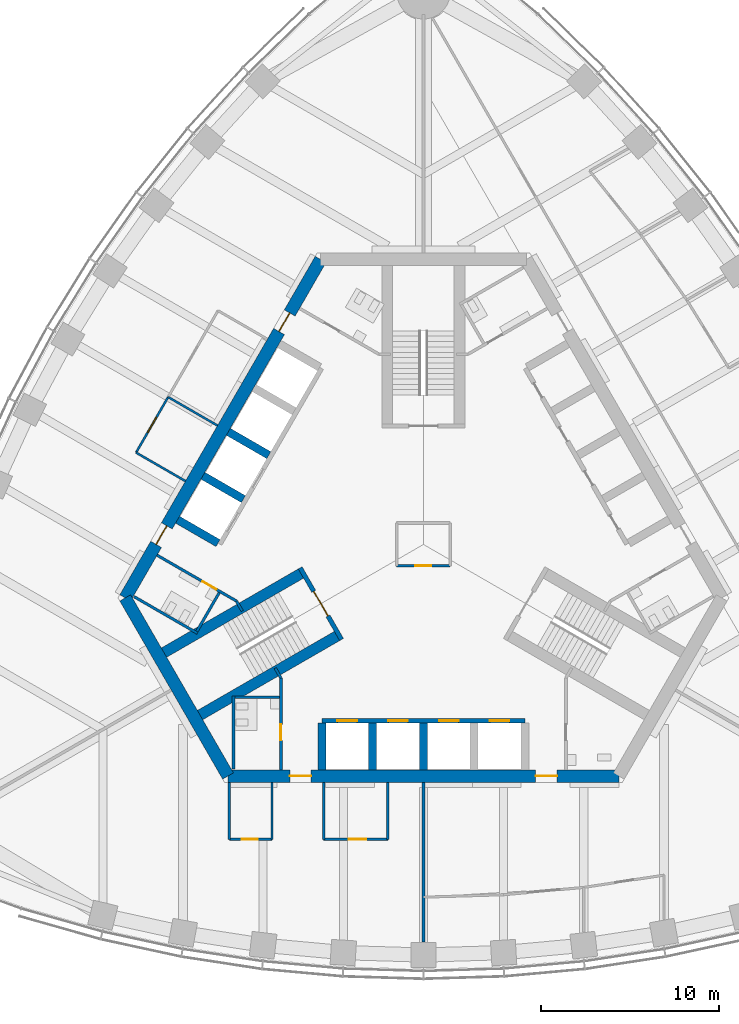
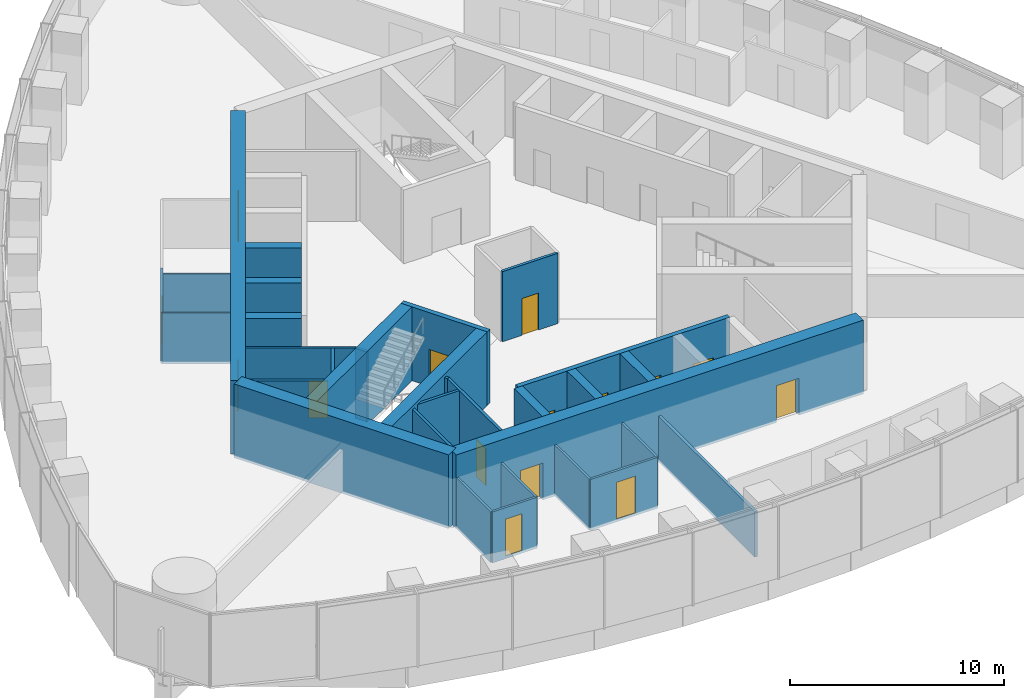
# One storey, part 8 of 15: 32 walls, 15 doors, 15 openings.
"""IFC4 building model written with IfcOpenShell, lengths in metres."""

from ifc_helpers import new_model, si_unit, direction, frame, frame_2d, origin, place, context, subcontext, project, spatial, rectangle, extrude, material, layer, layer_set, type_object, element, fill, save


model = new_model("IFC4")

# Units and contexts
model_context = context("Model", 3, precision=1e-05, world=origin(), true_north=direction((0.0, 1.0)))
body_context = subcontext(model_context, "Body", "Model", "MODEL_VIEW")
ifc_project = project(units=[si_unit("LENGTHUNIT", "METRE"), si_unit("AREAUNIT", "SQUARE_METRE"), si_unit("VOLUMEUNIT", "CUBIC_METRE"), si_unit("PLANEANGLEUNIT", "RADIAN"), si_unit("MASSUNIT", "GRAM", prefix="KILO")], contexts=[model_context])

# Site, building, storey
site_placement = place(None, origin())
site = spatial("IfcSite", under=ifc_project, at=site_placement, CompositionType="ELEMENT")
building_placement = place(site_placement, origin())
building = spatial("IfcBuilding", under=site, at=building_placement, Name="Trefoil Bronze Tower", CompositionType="ELEMENT")
storey_placement = place(building_placement, frame((0.0, 0.0, 276.300048828125)))
storey = spatial("IfcBuildingStorey", under=building, at=storey_placement, Name="L63", CompositionType="ELEMENT", Elevation=276.300048828125)

# Wall, openings, doors
ifc_material_1 = material(Name="Concrete B80", Category="concrete")
ifc_layer_1 = layer(ifc_material_1, 0.699951171875)
ifc_layer_set_1 = layer_set([ifc_layer_1], Name="Core wall 700")
wall_type_1 = type_object("IfcWallType", Name="Core wall 700", PredefinedType="SHEAR", material=ifc_layer_set_1)
wall_1_placement = place(storey_placement, frame((-10.9697265625, -13.0, 0.0), z_axis=(0.0, 0.0, 1.0), x_axis=(1.0, 0.0, 0.0)))
wall_1 = element("IfcWall", 1, at=wall_1_placement, inside=storey, type_object=wall_type_1, Name="Core long wall 1 L63", PredefinedType="SHEAR", context=body_context, shape_type="SweptSolid", body=[
    extrude(rectangle(XDim=21.939453125, YDim=0.699951171875, at=frame_2d((10.9697265625, 0.0))), origin(), (0.0, 0.0, 1.0), 4.199951171875),
])
opening_1_placement = place(wall_1_placement, frame((17.269775390625, 0.0, 0.0)))
opening_1 = element("IfcOpeningElement", 2, at=opening_1_placement, cuts=wall_1, Name="Opening D2", PredefinedType="OPENING", context=body_context, shape_type="SweptSolid", body=[
    extrude(rectangle(XDim=1.199951171875, YDim=2.10009765625, at=frame_2d((0.60009765625, 1.050048828125))), frame((0.0, 0.35986328125, 0.0), z_axis=(0.0, -1.0, 0.0), x_axis=(1.0, 0.0, 0.0)), (0.0, 0.0, 1.0), 0.719970703125),
])
opening_2_placement = place(wall_1_placement, frame((3.4697265625, 0.0, 0.0)))
opening_2 = element("IfcOpeningElement", 3, at=opening_2_placement, cuts=wall_1, Name="Opening D2", PredefinedType="OPENING", context=body_context, shape_type="SweptSolid", body=[
    extrude(rectangle(XDim=1.199951171875, YDim=2.10009765625, at=frame_2d((0.60009765625, 1.050048828125))), frame((0.0, 0.35986328125, 0.0), z_axis=(0.0, -1.0, 0.0), x_axis=(1.0, 0.0, 0.0)), (0.0, 0.0, 1.0), 0.719970703125),
])
ifc_material_2 = material(Name="Steel door", Category="steel")
door_type_1 = type_object("IfcDoorType", Name="Lobby door 1200", OperationType="SINGLE_SWING_RIGHT", PredefinedType="DOOR", material=ifc_material_2)
door_1_placement = place(opening_1_placement, origin())
door_1 = element("IfcDoor", 4, at=door_1_placement, inside=storey, type_object=door_type_1, Name="Lobby door F1+ L63", OperationType="SINGLE_SWING_RIGHT", OverallHeight=2.10009765625, OverallWidth=1.199951171875, PredefinedType="DOOR", context=body_context, shape_type="SweptSolid", body=[
    extrude(rectangle(XDim=1.199951171875, YDim=2.10009765625, at=frame_2d((0.60009765625, 1.050048828125))), frame((0.0, 0.02490234375, 0.0), z_axis=(0.0, -1.0, 0.0), x_axis=(1.0, 0.0, 0.0)), (0.0, 0.0, 1.0), 0.050048828125),
])
fill(opening_1, door_1)
door_2_placement = place(opening_2_placement, origin())
door_2 = element("IfcDoor", 5, at=door_2_placement, inside=storey, type_object=door_type_1, Name="Lobby door F1- L63", OperationType="SINGLE_SWING_LEFT", OverallHeight=2.10009765625, OverallWidth=1.199951171875, PredefinedType="DOOR", context=body_context, shape_type="SweptSolid", body=[
    extrude(rectangle(XDim=1.199951171875, YDim=2.10009765625, at=frame_2d((0.60009765625, 1.050048828125))), frame((0.0, 0.02490234375, 0.0), z_axis=(0.0, -1.0, 0.0), x_axis=(1.0, 0.0, 0.0)), (0.0, 0.0, 1.0), 0.050048828125),
])
fill(opening_2, door_2)

wall_2_placement = place(storey_placement, frame((-5.7734375, 16.0, 0.0), z_axis=(0.0, 0.0, 1.0), x_axis=(-0.500002442456, -0.866023993627, 0.0)))
wall_2 = element("IfcWall", 6, at=wall_2_placement, inside=storey, type_object=wall_type_1, Name="Core long wall 3 L63", PredefinedType="SHEAR", context=body_context, shape_type="SweptSolid", body=[
    extrude(rectangle(XDim=21.939453125, YDim=0.699951171875, at=frame_2d((10.9697265625, 0.0))), origin(), (0.0, 0.0, 1.0), 4.199951171875),
])
opening_3_placement = place(wall_2_placement, frame((17.269775390625, 0.0, 0.0)))
opening_3 = element("IfcOpeningElement", 7, at=opening_3_placement, cuts=wall_2, Name="Opening D2", PredefinedType="OPENING", context=body_context, shape_type="SweptSolid", body=[
    extrude(rectangle(XDim=1.199951171875, YDim=2.10009765625, at=frame_2d((0.60009765625, 1.050048828125))), frame((0.0, 0.35986328125, 0.0), z_axis=(0.0, -1.0, 0.0), x_axis=(1.0, 0.0, 0.0)), (0.0, 0.0, 1.0), 0.719970703125),
])
opening_4_placement = place(wall_2_placement, frame((3.4697265625, 0.0, 0.0)))
opening_4 = element("IfcOpeningElement", 8, at=opening_4_placement, cuts=wall_2, Name="Opening D2", PredefinedType="OPENING", context=body_context, shape_type="SweptSolid", body=[
    extrude(rectangle(XDim=1.199951171875, YDim=2.10009765625, at=frame_2d((0.60009765625, 1.050048828125))), frame((0.0, 0.35986328125, 0.0), z_axis=(0.0, -1.0, 0.0), x_axis=(1.0, 0.0, 0.0)), (0.0, 0.0, 1.0), 0.719970703125),
])
door_3_placement = place(opening_3_placement, origin())
door_3 = element("IfcDoor", 9, at=door_3_placement, inside=storey, type_object=door_type_1, Name="Lobby door F3+ L63", OperationType="SINGLE_SWING_RIGHT", OverallHeight=2.10009765625, OverallWidth=1.199951171875, PredefinedType="DOOR", context=body_context, shape_type="SweptSolid", body=[
    extrude(rectangle(XDim=1.199951171875, YDim=2.10009765625, at=frame_2d((0.60009765625, 1.050048828125))), frame((0.0, 0.02490234375, 0.0), z_axis=(0.0, -1.0, 0.0), x_axis=(1.0, 0.0, 0.0)), (0.0, 0.0, 1.0), 0.050048828125),
])
fill(opening_3, door_3)
door_4_placement = place(opening_4_placement, origin())
door_4 = element("IfcDoor", 10, at=door_4_placement, inside=storey, type_object=door_type_1, Name="Lobby door F3- L63", OperationType="SINGLE_SWING_LEFT", OverallHeight=2.10009765625, OverallWidth=1.199951171875, PredefinedType="DOOR", context=body_context, shape_type="SweptSolid", body=[
    extrude(rectangle(XDim=1.199951171875, YDim=2.10009765625, at=frame_2d((0.60009765625, 1.050048828125))), frame((0.0, 0.02490234375, 0.0), z_axis=(0.0, -1.0, 0.0), x_axis=(1.0, 0.0, 0.0)), (0.0, 0.0, 1.0), 0.050048828125),
])
fill(opening_4, door_4)

# Wall
wall_3_placement = place(storey_placement, frame((-16.7431640625, -3.0, 0.0), z_axis=(0.0, 0.0, 1.0), x_axis=(0.499995765644, -0.866027848477, 0.0)))
element("IfcWall", 11, at=wall_3_placement, inside=storey, type_object=wall_type_1, Name="Core short wall 3 L63", PredefinedType="SHEAR", context=body_context, shape_type="SweptSolid", body=[
    extrude(rectangle(XDim=11.546875, YDim=0.699951171875, at=frame_2d((5.7734375, 0.0))), origin(), (0.0, 0.0, 1.0), 4.199951171875),
])

# Wall, opening, door
ifc_material_3 = material(Name="Glazed partition", Category="glass")
ifc_layer_2 = layer(ifc_material_3, 0.1201171875)
ifc_layer_set_2 = layer_set([ifc_layer_2], Name="Glazed partition 120")
wall_type_2 = type_object("IfcWallType", Name="Glazed partition 120", PredefinedType="PARTITIONING", material=ifc_layer_set_2)
wall_4_placement = place(storey_placement, frame((-10.89990234375, -16.550048828125, 0.0), z_axis=(0.0, 0.0, 1.0), x_axis=(1.0, 0.0, 0.0)))
wall_4 = element("IfcWall", 12, at=wall_4_placement, inside=storey, type_object=wall_type_2, Name="Partition F1 L63", PredefinedType="PARTITIONING", context=body_context, shape_type="SweptSolid", body=[
    extrude(rectangle(XDim=2.39990234375, YDim=0.1201171875, at=frame_2d((1.199951171875, 0.0))), origin(), (0.0, 0.0, 1.0), 2.89990234375),
])
opening_5_placement = place(wall_4_placement, frame((0.699951171875, 0.0, 0.14990234375)))
opening_5 = element("IfcOpeningElement", 13, at=opening_5_placement, cuts=wall_4, Name="Opening D8", PredefinedType="OPENING", context=body_context, shape_type="SweptSolid", body=[
    extrude(rectangle(XDim=0.89990234375, YDim=2.10009765625, at=frame_2d((0.449951171875, 1.050048828125))), frame((0.0, 0.070068359375, 0.0), z_axis=(0.0, -1.0, 0.0), x_axis=(1.0, 0.0, 0.0)), (0.0, 0.0, 1.0), 0.14013671875),
])
ifc_material_4 = material(Name="Timber door", Category="wood")
door_type_2 = type_object("IfcDoorType", Name="Office door 900", OperationType="SINGLE_SWING_LEFT", PredefinedType="DOOR", material=ifc_material_4)
door_5_placement = place(opening_5_placement, origin())
door_5 = element("IfcDoor", 14, at=door_5_placement, inside=storey, type_object=door_type_2, Name="Comms room door F1 L63", OperationType="SINGLE_SWING_LEFT", OverallHeight=2.10009765625, OverallWidth=0.89990234375, PredefinedType="DOOR", context=body_context, shape_type="SweptSolid", body=[
    extrude(rectangle(XDim=0.89990234375, YDim=2.10009765625, at=frame_2d((0.449951171875, 1.050048828125))), frame((0.0, 0.02490234375, 0.0), z_axis=(0.0, -1.0, 0.0), x_axis=(1.0, 0.0, 0.0)), (0.0, 0.0, 1.0), 0.050048828125),
])
fill(opening_5, door_5)

wall_5_placement = place(storey_placement, frame((-5.60009765625, -16.550048828125, 0.0), z_axis=(0.0, 0.0, 1.0), x_axis=(1.0, 0.0, 0.0)))
wall_5 = element("IfcWall", 15, at=wall_5_placement, inside=storey, type_object=wall_type_2, Name="Partition F1 L63", PredefinedType="PARTITIONING", context=body_context, shape_type="SweptSolid", body=[
    extrude(rectangle(XDim=3.60009765625, YDim=0.1201171875, at=frame_2d((1.800048828125, 0.0))), origin(), (0.0, 0.0, 1.0), 2.89990234375),
])
opening_6_placement = place(wall_5_placement, frame((1.39990234375, 0.0, 0.14990234375)))
opening_6 = element("IfcOpeningElement", 16, at=opening_6_placement, cuts=wall_5, Name="Opening D9", PredefinedType="OPENING", context=body_context, shape_type="SweptSolid", body=[
    extrude(rectangle(XDim=1.0, YDim=2.10009765625, at=frame_2d((0.5, 1.050048828125))), frame((0.0, 0.070068359375, 0.0), z_axis=(0.0, -1.0, 0.0), x_axis=(1.0, 0.0, 0.0)), (0.0, 0.0, 1.0), 0.14013671875),
])
ifc_material_5 = material(Name="Glazed timber door", Category="wood")
door_type_3 = type_object("IfcDoorType", Name="Meeting room door 1000", OperationType="SINGLE_SWING_LEFT", PredefinedType="DOOR", material=ifc_material_5)
door_6_placement = place(opening_6_placement, origin())
door_6 = element("IfcDoor", 17, at=door_6_placement, inside=storey, type_object=door_type_3, Name="Meeting room door F1 L63", OperationType="SINGLE_SWING_RIGHT", OverallHeight=2.10009765625, OverallWidth=1.0, PredefinedType="DOOR", context=body_context, shape_type="SweptSolid", body=[
    extrude(rectangle(XDim=1.0, YDim=2.10009765625, at=frame_2d((0.5, 1.050048828125))), frame((0.0, 0.02490234375, 0.0), z_axis=(0.0, -1.0, 0.0), x_axis=(1.0, 0.0, 0.0)), (0.0, 0.0, 1.0), 0.050048828125),
])
fill(opening_6, door_6)

# Walls
for number, where, z_axis, x_axis, name in (
    (18, (-10.89990234375, -13.35009765625, 0.0), (0.0, 0.0, 1.0), (0.0, -1.0, 0.0), "Partition F1 L63"),
    (19, (-2.0, -13.35009765625, 0.0), (0.0, 0.0, 1.0), (0.0, -1.0, 0.0), "Partition F1 L63"),
    (20, (-5.60009765625, -13.35009765625, 0.0), (0.0, 0.0, 1.0), (0.0, -1.0, 0.0), "Partition F1 L63"),
    (21, (-8.5, -13.35009765625, 0.0), (0.0, 0.0, 1.0), (0.0, -1.0, 0.0), "Partition F1 L63"),
):
    element("IfcWall", number, at=place(storey_placement, frame(where, z_axis=z_axis, x_axis=x_axis)), inside=storey, type_object=wall_type_2, Name=name, PredefinedType="PARTITIONING", context=body_context, shape_type="SweptSolid", body=[
        extrude(rectangle(XDim=3.199951171875, YDim=0.1201171875, at=frame_2d((1.60009765625, 0.0))), origin(), (0.0, 0.0, 1.0), 2.89990234375),
    ])

# Wall, opening, door
wall_6_placement = place(storey_placement, frame((-14.332763671875, 8.27490234375, 0.0), z_axis=(0.0, 0.0, 1.0), x_axis=(-0.500012057535, -0.866018442252, 0.0)))
wall_6 = element("IfcWall", 22, at=wall_6_placement, inside=storey, type_object=wall_type_2, Name="Partition F3 L63", PredefinedType="PARTITIONING", context=body_context, shape_type="SweptSolid", body=[
    extrude(rectangle(XDim=3.60009765625, YDim=0.1201171875, at=frame_2d((1.800048828125, 0.0))), origin(), (0.0, 0.0, 1.0), 2.89990234375),
])
opening_7_placement = place(wall_6_placement, frame((1.300048828125, 0.0, 0.14990234375)))
opening_7 = element("IfcOpeningElement", 23, at=opening_7_placement, cuts=wall_6, Name="Opening D9", PredefinedType="OPENING", context=body_context, shape_type="SweptSolid", body=[
    extrude(rectangle(XDim=1.0, YDim=2.10009765625, at=frame_2d((0.5, 1.050048828125))), frame((0.0, 0.070068359375, 0.0), z_axis=(0.0, -1.0, 0.0), x_axis=(1.0, 0.0, 0.0)), (0.0, 0.0, 1.0), 0.14013671875),
])
door_7_placement = place(opening_7_placement, origin())
door_7 = element("IfcDoor", 24, at=door_7_placement, inside=storey, type_object=door_type_3, Name="Meeting room door F3 L63", OperationType="SINGLE_SWING_LEFT", OverallHeight=2.10009765625, OverallWidth=1.0, PredefinedType="DOOR", context=body_context, shape_type="SweptSolid", body=[
    extrude(rectangle(XDim=1.0, YDim=2.10009765625, at=frame_2d((0.5, 1.050048828125))), frame((0.0, 0.02490234375, 0.0), z_axis=(0.0, -1.0, 0.0), x_axis=(1.0, 0.0, 0.0)), (0.0, 0.0, 1.0), 0.050048828125),
])
fill(opening_7, door_7)

# Walls
wall_7_placement = place(storey_placement, frame((-13.361328125, 3.557373046875, 0.0), z_axis=(0.0, 0.0, 1.0), x_axis=(-0.866061088033, 0.499938187974, 0.0)))
element("IfcWall", 25, at=wall_7_placement, inside=storey, type_object=wall_type_2, Name="Partition F3 L63", PredefinedType="PARTITIONING", context=body_context, shape_type="SweptSolid", body=[
    extrude(rectangle(XDim=3.2001953125, YDim=0.1201171875, at=frame_2d((1.60009765625, 0.0))), origin(), (0.0, 0.0, 1.0), 2.89990234375),
])
wall_8_placement = place(storey_placement, frame((-11.5615234375, 6.675048828125, 0.0), z_axis=(0.0, 0.0, 1.0), x_axis=(-0.866042017984, 0.499971222258, 0.0)))
element("IfcWall", 26, at=wall_8_placement, inside=storey, type_object=wall_type_2, Name="Partition F3 L63", PredefinedType="PARTITIONING", context=body_context, shape_type="SweptSolid", body=[
    extrude(rectangle(XDim=3.199951171875, YDim=0.1201171875, at=frame_2d((1.60009765625, 0.0))), origin(), (0.0, 0.0, 1.0), 2.599853515625),
])
ifc_material_6 = material(Name="Concrete B80", Category="concrete")
ifc_layer_3 = layer(ifc_material_6, 0.449951171875)
ifc_layer_set_3 = layer_set([ifc_layer_3], Name="Outrigger shaft wall 450")
wall_type_3 = type_object("IfcWallType", Name="Outrigger shaft wall 450", PredefinedType="SHEAR", material=ifc_layer_set_3)
for number, where, z_axis, x_axis, name in (
    (27, (-5.699951171875, -10.02490234375, 0.0), (0.0, 0.0, 1.0), (0.0, -1.0, 0.0), "Lift shaft side wall A0 L63"),
    (28, (-2.85009765625, -10.02490234375, 0.0), (0.0, 0.0, 1.0), (0.0, -1.0, 0.0), "Lift shaft side wall A1 L63"),
    (29, (0.0, -10.02490234375, 0.0), (0.0, 0.0, 1.0), (0.0, -1.0, 0.0), "Lift shaft side wall A2 L63"),
    (30, (-8.681884765625, 5.012451171875, 0.0), (0.0, 0.0, 1.0), (-0.866036909293, 0.499980071345, 0.0), "Lift shaft side wall C2 L63"),
    (31, (-10.10693359375, 2.54443359375, 0.0), (0.0, 0.0, 1.0), (-0.866013657776, 0.500020344131, 0.0), "Lift shaft side wall C3 L63"),
    (32, (-11.531982421875, 0.076171875, 0.0), (0.0, 0.0, 1.0), (-0.866013657776, 0.500020344131, 0.0), "Lift shaft side wall C4 L63"),
):
    element("IfcWall", number, at=place(storey_placement, frame(where, z_axis=z_axis, x_axis=x_axis)), inside=storey, type_object=wall_type_3, Name=name, PredefinedType="SHEAR", context=body_context, shape_type="SweptSolid", body=[
        extrude(rectangle(XDim=2.625, YDim=0.449951171875, at=frame_2d((1.3125, 0.0))), origin(), (0.0, 0.0, 1.0), 4.199951171875),
    ])

# Wall, opening, door
ifc_material_7 = material(Name="Gypsum board on steel studs", Category="steel")
ifc_layer_4 = layer(ifc_material_7, 0.14990234375)
ifc_layer_set_4 = layer_set([ifc_layer_4], Name="Partition 150")
wall_type_4 = type_object("IfcWallType", Name="Partition 150", PredefinedType="PARTITIONING", material=ifc_layer_set_4)
wall_9_placement = place(storey_placement, frame((-8.0, -7.5, 0.0), z_axis=(0.0, 0.0, 1.0), x_axis=(0.0, -1.0, 0.0)))
wall_9 = element("IfcWall", 33, at=wall_9_placement, inside=storey, type_object=wall_type_4, Name="Passage wall F1- L63", PredefinedType="PARTITIONING", context=body_context, shape_type="SweptSolid", body=[
    extrude(rectangle(XDim=5.14990234375, YDim=0.14990234375, at=frame_2d((2.574951171875, 0.0))), origin(), (0.0, 0.0, 1.0), 4.0),
])
opening_8_placement = place(wall_9_placement, frame((2.60009765625, 0.0, 0.0)))
opening_8 = element("IfcOpeningElement", 34, at=opening_8_placement, cuts=wall_9, Name="Opening D3", PredefinedType="OPENING", context=body_context, shape_type="SweptSolid", body=[
    extrude(rectangle(XDim=0.89990234375, YDim=2.10009765625, at=frame_2d((0.449951171875, 1.050048828125))), frame((0.0, 0.0849609375, 0.0), z_axis=(0.0, -1.0, 0.0), x_axis=(1.0, 0.0, 0.0)), (0.0, 0.0, 1.0), 0.169921875),
])
ifc_material_8 = material(Name="Timber door", Category="wood")
door_type_4 = type_object("IfcDoorType", Name="WC door 900", OperationType="SINGLE_SWING_LEFT", PredefinedType="DOOR", material=ifc_material_8)
door_8_placement = place(opening_8_placement, frame((0.89990234375, 0.0, 0.0), z_axis=(0.0, 0.0, 1.0), x_axis=(-1.0, 0.0, 0.0)))
door_8 = element("IfcDoor", 35, at=door_8_placement, inside=storey, type_object=door_type_4, Name="WC (women) door L63", OperationType="SINGLE_SWING_RIGHT", OverallHeight=2.10009765625, OverallWidth=0.89990234375, PredefinedType="DOOR", context=body_context, shape_type="SweptSolid", body=[
    extrude(rectangle(XDim=0.89990234375, YDim=2.10009765625, at=frame_2d((0.449951171875, 1.050048828125))), frame((0.0, 0.02490234375, 0.0), z_axis=(0.0, -1.0, 0.0), x_axis=(1.0, 0.0, 0.0)), (0.0, 0.0, 1.0), 0.050048828125),
])
fill(opening_8, door_8)

wall_10_placement = place(storey_placement, frame((-10.4951171875, -3.17822265625, 0.0), z_axis=(0.0, 0.0, 1.0), x_axis=(-0.866037967349, 0.499978238636, 0.0)))
wall_10 = element("IfcWall", 36, at=wall_10_placement, inside=storey, type_object=wall_type_4, Name="Passage wall F3+ L63", PredefinedType="PARTITIONING", context=body_context, shape_type="SweptSolid", body=[
    extrude(rectangle(XDim=5.150146484375, YDim=0.14990234375, at=frame_2d((2.5751953125, 0.0))), origin(), (0.0, 0.0, 1.0), 4.0),
])
opening_9_placement = place(wall_10_placement, frame((1.300048828125, 0.0, 0.0)))
opening_9 = element("IfcOpeningElement", 37, at=opening_9_placement, cuts=wall_10, Name="Opening D3", PredefinedType="OPENING", context=body_context, shape_type="SweptSolid", body=[
    extrude(rectangle(XDim=0.89990234375, YDim=2.10009765625, at=frame_2d((0.449951171875, 1.050048828125))), frame((0.0, 0.0849609375, 0.0), z_axis=(0.0, -1.0, 0.0), x_axis=(1.0, 0.0, 0.0)), (0.0, 0.0, 1.0), 0.169921875),
])
door_9_placement = place(opening_9_placement, origin())
door_9 = element("IfcDoor", 38, at=door_9_placement, inside=storey, type_object=door_type_4, Name="WC (men) door L63", OperationType="SINGLE_SWING_LEFT", OverallHeight=2.10009765625, OverallWidth=0.89990234375, PredefinedType="DOOR", context=body_context, shape_type="SweptSolid", body=[
    extrude(rectangle(XDim=0.89990234375, YDim=2.10009765625, at=frame_2d((0.449951171875, 1.050048828125))), frame((0.0, 0.02490234375, 0.0), z_axis=(0.0, -1.0, 0.0), x_axis=(1.0, 0.0, 0.0)), (0.0, 0.0, 1.0), 0.050048828125),
])
fill(opening_9, door_9)

# Walls
for number, where, z_axis, x_axis, name in (
    (39, (-10.4951171875, -3.17822265625, 0.0), (0.0, 0.0, 1.0), (0.499842556608, -0.866116284689, 0.0), "WC wall ST3-1 L63"),
    (40, (-8.0, -7.5, 0.0), (0.0, 0.0, 1.0), (-0.499842556608, 0.866116284689, 0.0), "WC wall ST3+1 L63"),
):
    element("IfcWall", number, at=place(storey_placement, frame(where, z_axis=z_axis, x_axis=x_axis)), inside=storey, type_object=wall_type_4, Name=name, PredefinedType="PARTITIONING", context=body_context, shape_type="SweptSolid", body=[
        extrude(rectangle(XDim=0.645263671875, YDim=0.14990234375, at=frame_2d((0.32275390625, 0.0))), origin(), (0.0, 0.0, 1.0), 4.0),
    ])
wall_11_placement = place(storey_placement, frame((-12.691162109375, -4.98193359375, 0.0), z_axis=(0.0, 0.0, 1.0), x_axis=(-0.8660249478, 0.500000789788, 0.0)))
element("IfcWall", 41, at=wall_11_placement, inside=storey, type_object=wall_type_4, Name="WC partition WC (men) L63", PredefinedType="PARTITIONING", context=body_context, shape_type="SweptSolid", body=[
    extrude(rectangle(XDim=4.10009765625, YDim=0.14990234375, at=frame_2d((2.050048828125, 0.0))), origin(), (0.0, 0.0, 1.0), 4.0),
])
wall_12_placement = place(storey_placement, frame((-11.463623046875, -2.70556640625, 0.0), z_axis=(0.0, 0.0, 1.0), x_axis=(-0.50001992892, -0.866013897511, 0.0)))
element("IfcWall", 42, at=wall_12_placement, inside=storey, type_object=wall_type_4, Name="WC partition WC (men) L63", PredefinedType="PARTITIONING", context=body_context, shape_type="SweptSolid", body=[
    extrude(rectangle(XDim=2.51025390625, YDim=0.14990234375, at=frame_2d((1.255126953125, 0.0))), origin(), (0.0, 0.0, 1.0), 4.0),
])
wall_13_placement = place(storey_placement, frame((-10.659912109375, -8.5, 0.0), z_axis=(0.0, 0.0, 1.0), x_axis=(0.0, -1.0, 0.0)))
element("IfcWall", 43, at=wall_13_placement, inside=storey, type_object=wall_type_4, Name="WC partition WC (women) L63", PredefinedType="PARTITIONING", context=body_context, shape_type="SweptSolid", body=[
    extrude(rectangle(XDim=4.10009765625, YDim=0.14990234375, at=frame_2d((2.050048828125, 0.0))), origin(), (0.0, 0.0, 1.0), 4.0),
])
wall_14_placement = place(storey_placement, frame((-8.074951171875, -8.574951171875, 0.0), z_axis=(0.0, 0.0, 1.0), x_axis=(-1.0, 0.0, 0.0)))
element("IfcWall", 44, at=wall_14_placement, inside=storey, type_object=wall_type_4, Name="WC partition WC (women) L63", PredefinedType="PARTITIONING", context=body_context, shape_type="SweptSolid", body=[
    extrude(rectangle(XDim=2.510009765625, YDim=0.14990234375, at=frame_2d((1.2548828125, 0.0))), origin(), (0.0, 0.0, 1.0), 4.0),
])
ifc_material_9 = material(Name="Gypsum board on steel studs", Category="steel")
ifc_layer_5 = layer(ifc_material_9, 0.14990234375)
ifc_layer_set_5 = layer_set([ifc_layer_5], Name="Party wall 150")
wall_type_5 = type_object("IfcWallType", Name="Party wall 150", PredefinedType="PARTITIONING", material=ifc_layer_set_5)
wall_15_placement = place(storey_placement, frame((0.0, -13.360107421875, 0.0), z_axis=(0.0, 0.0, 1.0), x_axis=(0.0, -1.0, 0.0)))
element("IfcWall", 45, at=wall_15_placement, inside=storey, type_object=wall_type_5, Name="Demising wall F1 L63", PredefinedType="PARTITIONING", context=body_context, shape_type="SweptSolid", body=[
    extrude(rectangle(XDim=8.96142578125, YDim=0.14990234375, at=frame_2d((4.480712890625, 0.0))), origin(), (0.0, 0.0, 1.0), 2.599853515625),
])

# Wall, opening, door
ifc_material_10 = material(Name="Gypsum board on steel studs", Category="steel")
ifc_layer_6 = layer(ifc_material_10, 0.14990234375)
ifc_layer_set_6 = layer_set([ifc_layer_6], Name="Riser wall 150")
wall_type_6 = type_object("IfcWallType", Name="Riser wall 150", PredefinedType="PARTITIONING", material=ifc_layer_set_6)
wall_16_placement = place(storey_placement, frame((-1.5, -1.199951171875, 0.0), z_axis=(0.0, 0.0, 1.0), x_axis=(1.0, 0.0, 0.0)))
wall_16 = element("IfcWall", 46, at=wall_16_placement, inside=storey, type_object=wall_type_6, Name="Riser wall L63", PredefinedType="PARTITIONING", context=body_context, shape_type="SweptSolid", body=[
    extrude(rectangle(XDim=3.0, YDim=0.14990234375, at=frame_2d((1.5, 0.0))), origin(), (0.0, 0.0, 1.0), 4.0),
])
opening_10_placement = place(wall_16_placement, frame((1.050048828125, 0.0, 0.0)))
opening_10 = element("IfcOpeningElement", 47, at=opening_10_placement, cuts=wall_16, Name="Opening D4", PredefinedType="OPENING", context=body_context, shape_type="SweptSolid", body=[
    extrude(rectangle(XDim=0.89990234375, YDim=2.10009765625, at=frame_2d((0.449951171875, 1.050048828125))), frame((0.0, 0.0849609375, 0.0), z_axis=(0.0, -1.0, 0.0), x_axis=(1.0, 0.0, 0.0)), (0.0, 0.0, 1.0), 0.169921875),
])
ifc_material_11 = material(Name="Steel door", Category="steel")
door_type_5 = type_object("IfcDoorType", Name="Riser door 900", OperationType="SINGLE_SWING_LEFT", PredefinedType="DOOR", material=ifc_material_11)
door_10_placement = place(opening_10_placement, frame((0.89990234375, 0.0, 0.0), z_axis=(0.0, 0.0, 1.0), x_axis=(-1.0, 0.0, 0.0)))
door_10 = element("IfcDoor", 48, at=door_10_placement, inside=storey, type_object=door_type_5, Name="Riser door L63", OperationType="SINGLE_SWING_LEFT", OverallHeight=2.10009765625, OverallWidth=0.89990234375, PredefinedType="DOOR", context=body_context, shape_type="SweptSolid", body=[
    extrude(rectangle(XDim=0.89990234375, YDim=2.10009765625, at=frame_2d((0.449951171875, 1.050048828125))), frame((0.0, 0.02490234375, 0.0), z_axis=(0.0, -1.0, 0.0), x_axis=(1.0, 0.0, 0.0)), (0.0, 0.0, 1.0), 0.050048828125),
])
fill(opening_10, door_10)

# Wall, openings, doors
ifc_material_12 = material(Name="Concrete B80", Category="concrete")
ifc_layer_7 = layer(ifc_material_12, 0.25)
ifc_layer_set_7 = layer_set([ifc_layer_7], Name="Shaft wall 250")
wall_type_7 = type_object("IfcWallType", Name="Shaft wall 250", PredefinedType="SHEAR", material=ifc_layer_set_7)
wall_17_placement = place(storey_placement, frame((-5.699951171875, -9.89990234375, 0.0), z_axis=(0.0, 0.0, 1.0), x_axis=(1.0, 0.0, 0.0)))
wall_17 = element("IfcWall", 49, at=wall_17_placement, inside=storey, type_object=wall_type_7, Name="Lift shaft front wall A L63", PredefinedType="SHEAR", context=body_context, shape_type="SweptSolid", body=[
    extrude(rectangle(XDim=11.39990234375, YDim=0.25, at=frame_2d((5.699951171875, 0.0))), origin(), (0.0, 0.0, 1.0), 4.199951171875),
])
opening_11_placement = place(wall_17_placement, frame((0.875, 0.0, 0.0)))
opening_11 = element("IfcOpeningElement", 50, at=opening_11_placement, cuts=wall_17, Name="Opening LD-P41", PredefinedType="OPENING", context=body_context, shape_type="SweptSolid", body=[
    extrude(rectangle(XDim=1.10009765625, YDim=2.199951171875, at=frame_2d((0.550048828125, 1.10009765625))), frame((0.0, 0.135009765625, 0.0), z_axis=(0.0, -1.0, 0.0), x_axis=(1.0, 0.0, 0.0)), (0.0, 0.0, 1.0), 0.27001953125),
])
opening_12_placement = place(wall_17_placement, frame((3.72509765625, 0.0, 0.0)))
opening_12 = element("IfcOpeningElement", 51, at=opening_12_placement, cuts=wall_17, Name="Opening LD-P42", PredefinedType="OPENING", context=body_context, shape_type="SweptSolid", body=[
    extrude(rectangle(XDim=1.10009765625, YDim=2.199951171875, at=frame_2d((0.550048828125, 1.10009765625))), frame((0.0, 0.135009765625, 0.0), z_axis=(0.0, -1.0, 0.0), x_axis=(1.0, 0.0, 0.0)), (0.0, 0.0, 1.0), 0.27001953125),
])
opening_13_placement = place(wall_17_placement, frame((6.574951171875, 0.0, 0.0)))
opening_13 = element("IfcOpeningElement", 52, at=opening_13_placement, cuts=wall_17, Name="Opening LD-P43", PredefinedType="OPENING", context=body_context, shape_type="SweptSolid", body=[
    extrude(rectangle(XDim=1.10009765625, YDim=2.199951171875, at=frame_2d((0.550048828125, 1.10009765625))), frame((0.0, 0.135009765625, 0.0), z_axis=(0.0, -1.0, 0.0), x_axis=(1.0, 0.0, 0.0)), (0.0, 0.0, 1.0), 0.27001953125),
])
opening_14_placement = place(wall_17_placement, frame((9.425048828125, 0.0, 0.0)))
opening_14 = element("IfcOpeningElement", 53, at=opening_14_placement, cuts=wall_17, Name="Opening LD-P44", PredefinedType="OPENING", context=body_context, shape_type="SweptSolid", body=[
    extrude(rectangle(XDim=1.10009765625, YDim=2.199951171875, at=frame_2d((0.550048828125, 1.10009765625))), frame((0.0, 0.135009765625, 0.0), z_axis=(0.0, -1.0, 0.0), x_axis=(1.0, 0.0, 0.0)), (0.0, 0.0, 1.0), 0.27001953125),
])
ifc_material_13 = material(Name="Steel door", Category="steel")
door_type_6 = type_object("IfcDoorType", Name="Lift landing door 1100", OperationType="DOUBLE_DOOR_SLIDING", PredefinedType="DOOR", material=ifc_material_13)
door_11_placement = place(opening_11_placement, origin())
door_11 = element("IfcDoor", 54, at=door_11_placement, inside=storey, type_object=door_type_6, Name="Lift P41 landing door L63", OperationType="DOUBLE_DOOR_SLIDING", OverallHeight=2.199951171875, OverallWidth=1.10009765625, PredefinedType="DOOR", context=body_context, shape_type="SweptSolid", body=[
    extrude(rectangle(XDim=1.10009765625, YDim=2.199951171875, at=frame_2d((0.550048828125, 1.10009765625))), frame((0.0, 0.02490234375, 0.0), z_axis=(0.0, -1.0, 0.0), x_axis=(1.0, 0.0, 0.0)), (0.0, 0.0, 1.0), 0.050048828125),
])
fill(opening_11, door_11)
door_12_placement = place(opening_12_placement, origin())
door_12 = element("IfcDoor", 55, at=door_12_placement, inside=storey, type_object=door_type_6, Name="Lift P42 landing door L63", OperationType="DOUBLE_DOOR_SLIDING", OverallHeight=2.199951171875, OverallWidth=1.10009765625, PredefinedType="DOOR", context=body_context, shape_type="SweptSolid", body=[
    extrude(rectangle(XDim=1.10009765625, YDim=2.199951171875, at=frame_2d((0.550048828125, 1.10009765625))), frame((0.0, 0.02490234375, 0.0), z_axis=(0.0, -1.0, 0.0), x_axis=(1.0, 0.0, 0.0)), (0.0, 0.0, 1.0), 0.050048828125),
])
fill(opening_12, door_12)
door_13_placement = place(opening_13_placement, origin())
door_13 = element("IfcDoor", 56, at=door_13_placement, inside=storey, type_object=door_type_6, Name="Lift P43 landing door L63", OperationType="DOUBLE_DOOR_SLIDING", OverallHeight=2.199951171875, OverallWidth=1.10009765625, PredefinedType="DOOR", context=body_context, shape_type="SweptSolid", body=[
    extrude(rectangle(XDim=1.10009765625, YDim=2.199951171875, at=frame_2d((0.550048828125, 1.10009765625))), frame((0.0, 0.02490234375, 0.0), z_axis=(0.0, -1.0, 0.0), x_axis=(1.0, 0.0, 0.0)), (0.0, 0.0, 1.0), 0.050048828125),
])
fill(opening_13, door_13)
door_14_placement = place(opening_14_placement, origin())
door_14 = element("IfcDoor", 57, at=door_14_placement, inside=storey, type_object=door_type_6, Name="Lift P44 landing door L63", OperationType="DOUBLE_DOOR_SLIDING", OverallHeight=2.199951171875, OverallWidth=1.10009765625, PredefinedType="DOOR", context=body_context, shape_type="SweptSolid", body=[
    extrude(rectangle(XDim=1.10009765625, YDim=2.199951171875, at=frame_2d((0.550048828125, 1.10009765625))), frame((0.0, 0.02490234375, 0.0), z_axis=(0.0, -1.0, 0.0), x_axis=(1.0, 0.0, 0.0)), (0.0, 0.0, 1.0), 0.050048828125),
])
fill(opening_14, door_14)

# Wall, opening, door
wall_18_placement = place(storey_placement, frame((-6.921630859375, -1.3115234375, 0.0), z_axis=(0.0, 0.0, 1.0), x_axis=(0.499984536904, -0.866034331223, 0.0)))
wall_18 = element("IfcWall", 58, at=wall_18_placement, inside=storey, type_object=wall_type_7, Name="Stair end wall ST3 L63", PredefinedType="SHEAR", context=body_context, shape_type="SweptSolid", body=[
    extrude(rectangle(XDim=4.650146484375, YDim=0.25, at=frame_2d((2.3251953125, 0.0))), origin(), (0.0, 0.0, 1.0), 4.199951171875),
])
opening_15_placement = place(wall_18_placement, frame((1.52490234375, 0.0, 0.0)))
opening_15 = element("IfcOpeningElement", 59, at=opening_15_placement, cuts=wall_18, Name="Opening D1", PredefinedType="OPENING", context=body_context, shape_type="SweptSolid", body=[
    extrude(rectangle(XDim=1.60009765625, YDim=2.10009765625, at=frame_2d((0.800048828125, 1.050048828125))), frame((0.0, 0.135009765625, 0.0), z_axis=(0.0, -1.0, 0.0), x_axis=(1.0, 0.0, 0.0)), (0.0, 0.0, 1.0), 0.27001953125),
])
ifc_material_14 = material(Name="Steel door", Category="steel")
door_type_7 = type_object("IfcDoorType", Name="Stair door 1600", OperationType="DOUBLE_DOOR_SINGLE_SWING", PredefinedType="DOOR", material=ifc_material_14)
door_15_placement = place(opening_15_placement, frame((1.60009765625, 0.0, 0.0), z_axis=(0.0, 0.0, 1.0), x_axis=(-1.0, 0.0, 0.0)))
door_15 = element("IfcDoor", 60, at=door_15_placement, inside=storey, type_object=door_type_7, Name="Stair door ST3 L63", OperationType="DOUBLE_DOOR_SINGLE_SWING", OverallHeight=2.10009765625, OverallWidth=1.60009765625, PredefinedType="DOOR", context=body_context, shape_type="SweptSolid", body=[
    extrude(rectangle(XDim=1.60009765625, YDim=2.10009765625, at=frame_2d((0.800048828125, 1.050048828125))), frame((0.0, 0.02490234375, 0.0), z_axis=(0.0, -1.0, 0.0), x_axis=(1.0, 0.0, 0.0)), (0.0, 0.0, 1.0), 0.050048828125),
])
fill(opening_15, door_15)

# Walls
ifc_material_15 = material(Name="Concrete B80", Category="concrete")
ifc_layer_8 = layer(ifc_material_15, 0.60009765625)
ifc_layer_set_8 = layer_set([ifc_layer_8], Name="Stair wall 600")
wall_type_8 = type_object("IfcWallType", Name="Stair wall 600", PredefinedType="SHEAR", material=ifc_layer_set_8)
for number, where, z_axis, x_axis, name in (
    (61, (-6.663330078125, -1.5087890625, 0.0), (0.0, 0.0, 1.0), (-0.866028310072, -0.499994966129, 0.0), "Stair wall ST3 L63"),
    (62, (-4.638427734375, -5.01611328125, 0.0), (0.0, 0.0, 1.0), (-0.866021621257, -0.500006551472, 0.0), "Stair wall ST3 L63"),
):
    element("IfcWall", number, at=place(storey_placement, frame(where, z_axis=z_axis, x_axis=x_axis)), inside=storey, type_object=wall_type_8, Name=name, PredefinedType="SHEAR", context=body_context, shape_type="SweptSolid", body=[
        extrude(rectangle(XDim=9.125, YDim=0.60009765625, at=frame_2d((4.5625, 0.0))), origin(), (0.0, 0.0, 1.0), 4.199951171875),
    ])

save(model, "model.ifc")
